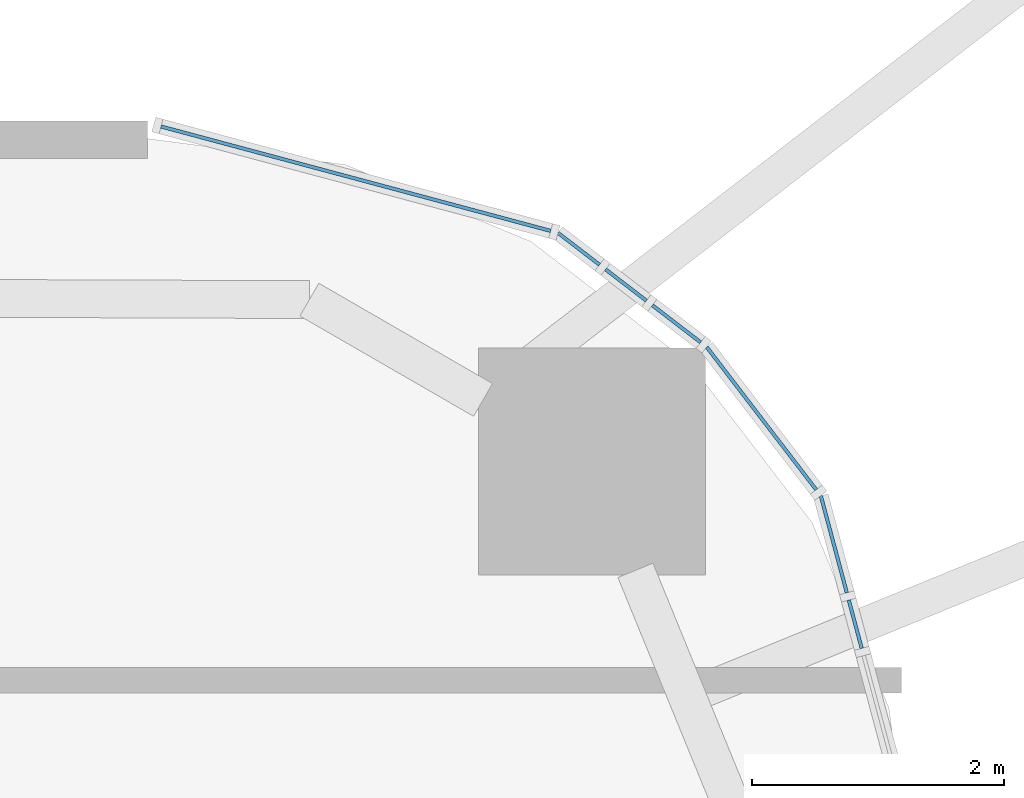
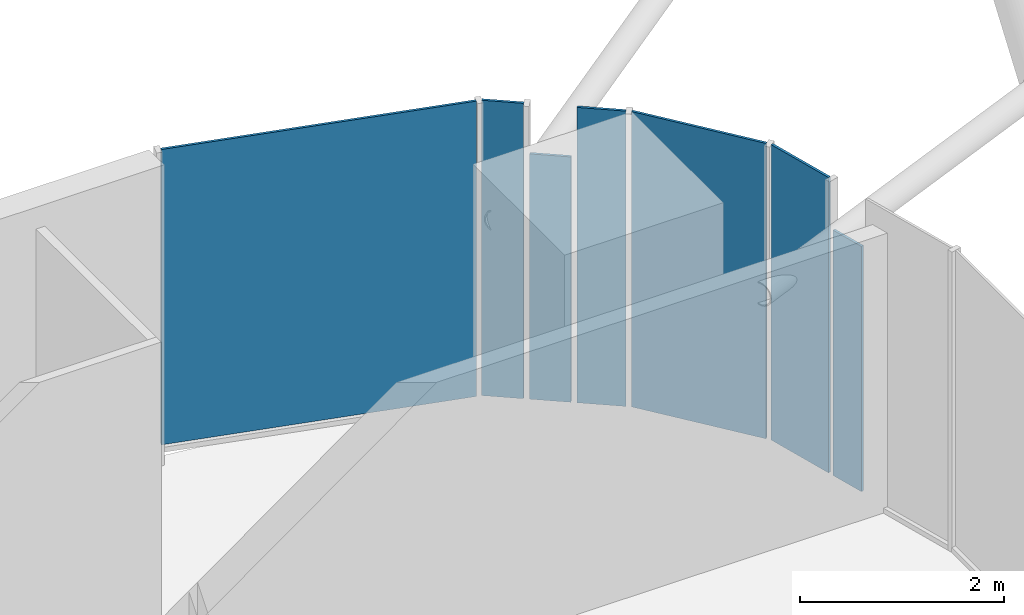
# One storey, part 27 of 38: 7 plates, 7 elements without a shape of their own.
"""IFC4 building model written with IfcOpenShell, lengths in metres."""

from ifc_helpers import new_model, si_unit, direction, frame, origin, origin_2d, place, context, subcontext, project, spatial, rectangle, extrude, material, layer, layer_set, type_object, element, aggregate, save


model = new_model("IFC4")

# Units and contexts
model_context = context("Model", 3, precision=1e-05, world=origin(), true_north=direction((0.0, 1.0)))
body_context = subcontext(model_context, "Body", "Model", "MODEL_VIEW")
ifc_project = project(units=[si_unit("LENGTHUNIT", "METRE"), si_unit("AREAUNIT", "SQUARE_METRE"), si_unit("VOLUMEUNIT", "CUBIC_METRE"), si_unit("PLANEANGLEUNIT", "RADIAN"), si_unit("MASSUNIT", "GRAM", prefix="KILO")], contexts=[model_context])

# Site, building, storey
site_placement = place(None, origin())
site = spatial("IfcSite", under=ifc_project, at=site_placement, CompositionType="ELEMENT")
building_placement = place(site_placement, origin())
building = spatial("IfcBuilding", under=site, at=building_placement, Name="Marenta Gate Hotel Tower", CompositionType="ELEMENT")
storey_placement = place(building_placement, frame((0.0, 0.0, 40.10009765625)))
storey = spatial("IfcBuildingStorey", under=building, at=storey_placement, Name="L07", CompositionType="ELEMENT", Elevation=40.10009765625)

# Curtain wall, plate
ifc_material_1 = material(Name="Tinted insulated glass in bronze anodised frame", Category="glass")
ifc_layer_1 = layer(ifc_material_1, 0.1201171875)
ifc_layer_set_1 = layer_set([ifc_layer_1], Name="Tinted insulated glass in bronze anodised frame")
curtain_wall_type = type_object("IfcCurtainWallType", Name="Tower unitised curtain wall CW1", PredefinedType="NOTDEFINED", material=ifc_layer_set_1)
curtain_wall_1_placement = place(storey_placement, origin())
curtain_wall_1 = element("IfcCurtainWall", 1, at=curtain_wall_1_placement, inside=storey, type_object=curtain_wall_type, Name="CW1 run G36", PredefinedType="NOTDEFINED")
ifc_material_2 = material(Name="Tinted insulated glass", Category="glass")
ifc_layer_2 = layer(ifc_material_2, 0.028076171875)
ifc_layer_set_2 = layer_set([ifc_layer_2], Name="Tinted insulated glass")
plate_type = type_object("IfcPlateType", Name="Glass panel CW1 28 mm tinted insulated unit", PredefinedType="CURTAIN_PANEL", material=ifc_layer_set_2)
plate_1_placement = place(storey_placement, frame((29.024658203125, 29.844970703125, 0.06005859375), z_axis=(0.0, 0.0, 1.0), x_axis=(-0.258834595648, 0.965921659399, 0.0)))
plate_1 = element("IfcPlate", 2, at=plate_1_placement, type_object=plate_type, Name="CW1 panel 1.1", PredefinedType="CURTAIN_PANEL", context=body_context, shape_type="SweptSolid", body=[
    extrude(rectangle(XDim=0.396728515625, YDim=0.028076171875, at=origin_2d()), origin(), (0.0, 0.0, 1.0), 2.9404296875),
])
aggregate(curtain_wall_1, [plate_1])

curtain_wall_2_placement = place(storey_placement, origin())
curtain_wall_2 = element("IfcCurtainWall", 3, at=curtain_wall_2_placement, inside=storey, type_object=curtain_wall_type, Name="CW1 run G37", PredefinedType="NOTDEFINED")
plate_2_placement = place(storey_placement, frame((28.8544921875, 30.479736328125, 0.059814453125), z_axis=(0.0, 0.0, 1.0), x_axis=(-0.258823498514, 0.96592463299, 0.0)))
plate_2 = element("IfcPlate", 4, at=plate_2_placement, type_object=plate_type, Name="CW1 panel 1.1", PredefinedType="CURTAIN_PANEL", context=body_context, shape_type="SweptSolid", body=[
    extrude(rectangle(XDim=0.797607421875, YDim=0.028076171875, at=origin_2d()), origin(), (0.0, 0.0, 1.0), 3.5400390625),
])
aggregate(curtain_wall_2, [plate_2])

curtain_wall_3_placement = place(storey_placement, origin())
curtain_wall_3 = element("IfcCurtainWall", 5, at=curtain_wall_3_placement, inside=storey, type_object=curtain_wall_type, Name="CW1 run G38", PredefinedType="NOTDEFINED")
plate_3_placement = place(storey_placement, frame((28.280029296875, 31.47900390625, 0.059814453125), z_axis=(0.0, 0.0, 1.0), x_axis=(-0.608781405318, 0.79333801153, 0.0)))
plate_3 = element("IfcPlate", 6, at=plate_3_placement, type_object=plate_type, Name="CW1 panel 1.1", PredefinedType="CURTAIN_PANEL", context=body_context, shape_type="SweptSolid", body=[
    extrude(rectangle(XDim=1.427978515625, YDim=0.028076171875, at=origin_2d()), origin(), (0.0, 0.0, 1.0), 3.5400390625),
])
aggregate(curtain_wall_3, [plate_3])

curtain_wall_4_placement = place(storey_placement, origin())
curtain_wall_4 = element("IfcCurtainWall", 7, at=curtain_wall_4_placement, inside=storey, type_object=curtain_wall_type, Name="CW1 run G39", PredefinedType="NOTDEFINED")
plate_4_placement = place(storey_placement, frame((27.606201171875, 32.229248046875, 0.059814453125), z_axis=(0.0, 0.0, 1.0), x_axis=(-0.793327924254, 0.608794550401, 0.0)))
plate_4 = element("IfcPlate", 8, at=plate_4_placement, type_object=plate_type, Name="CW1 panel 1.1", PredefinedType="CURTAIN_PANEL", context=body_context, shape_type="SweptSolid", body=[
    extrude(rectangle(XDim=0.4833984375, YDim=0.028076171875, at=origin_2d()), origin(), (0.0, 0.0, 1.0), 3.5400390625),
])
aggregate(curtain_wall_4, [plate_4])

curtain_wall_5_placement = place(storey_placement, origin())
curtain_wall_5 = element("IfcCurtainWall", 9, at=curtain_wall_5_placement, inside=storey, type_object=curtain_wall_type, Name="CW1 run G40", PredefinedType="NOTDEFINED")
plate_5_placement = place(storey_placement, frame((27.20458984375, 32.537353515625, 0.06005859375), z_axis=(0.0, 0.0, 1.0), x_axis=(-0.793345275313, 0.608771939349, 0.0)))
plate_5 = element("IfcPlate", 10, at=plate_5_placement, type_object=plate_type, Name="CW1 panel 1.1", PredefinedType="CURTAIN_PANEL", context=body_context, shape_type="SweptSolid", body=[
    extrude(rectangle(XDim=0.40869140625, YDim=0.028076171875, at=origin_2d()), origin(), (0.0, 0.0, 1.0), 2.9404296875),
])
aggregate(curtain_wall_5, [plate_5])

curtain_wall_6_placement = place(storey_placement, origin())
curtain_wall_6 = element("IfcCurtainWall", 11, at=curtain_wall_6_placement, inside=storey, type_object=curtain_wall_type, Name="CW1 run G41", PredefinedType="NOTDEFINED")
plate_6_placement = place(storey_placement, frame((26.830078125, 32.82470703125, 0.059814453125), z_axis=(0.0, 0.0, 1.0), x_axis=(-0.793342380821, 0.608775711402, 0.0)))
plate_6 = element("IfcPlate", 12, at=plate_6_placement, type_object=plate_type, Name="CW1 panel 1.1", PredefinedType="CURTAIN_PANEL", context=body_context, shape_type="SweptSolid", body=[
    extrude(rectangle(XDim=0.415771484375, YDim=0.028076171875, at=origin_2d()), origin(), (0.0, 0.0, 1.0), 3.5400390625),
])
aggregate(curtain_wall_6, [plate_6])

curtain_wall_7_placement = place(storey_placement, origin())
curtain_wall_7 = element("IfcCurtainWall", 13, at=curtain_wall_7_placement, inside=storey, type_object=curtain_wall_type, Name="CW1 run G42", PredefinedType="NOTDEFINED")
plate_7_placement = place(storey_placement, frame((25.060791015625, 33.381103515625, 0.059814453125), z_axis=(0.0, 0.0, 1.0), x_axis=(-0.965928970532, 0.258807310344, 0.0)))
plate_7 = element("IfcPlate", 14, at=plate_7_placement, type_object=plate_type, Name="CW1 panel 1.1", PredefinedType="CURTAIN_PANEL", context=body_context, shape_type="SweptSolid", body=[
    extrude(rectangle(XDim=3.20166015625, YDim=0.028076171875, at=origin_2d()), origin(), (0.0, 0.0, 1.0), 3.5400390625),
])
aggregate(curtain_wall_7, [plate_7])

save(model, "model.ifc")
